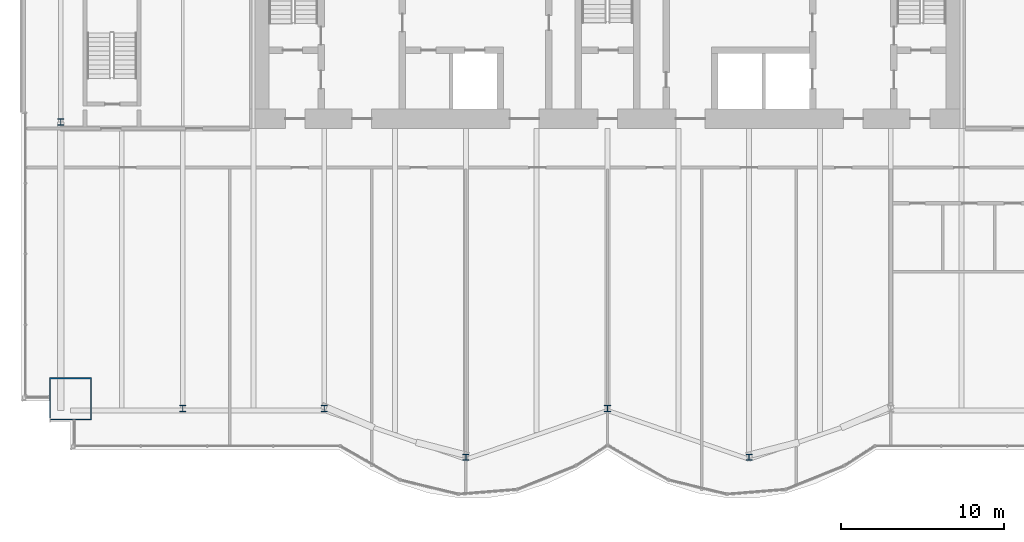
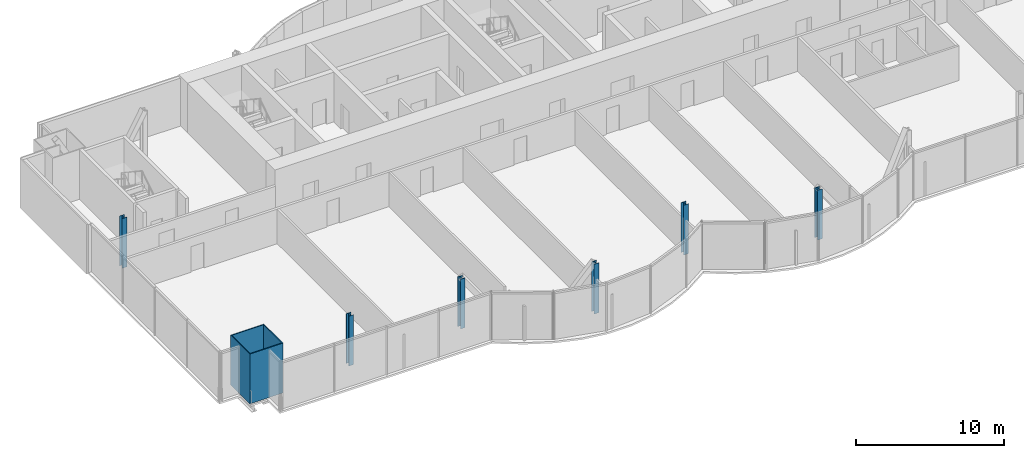
# One storey, part 1 of 20: 7 columns.
"""IFC4 building model written with IfcOpenShell, lengths in metres."""

from ifc_helpers import new_model, si_unit, direction, frame, origin, origin_2d, place, context, subcontext, project, spatial, hollow_rectangle, i_section, extrude, material, material_profile, profile_set, type_object, element, save


model = new_model("IFC4")

# Units and contexts
model_context = context("Model", 3, precision=1e-05, world=origin(), true_north=direction((0.0, 1.0)))
body_context = subcontext(model_context, "Body", "Model", "MODEL_VIEW")
ifc_project = project(units=[si_unit("LENGTHUNIT", "METRE"), si_unit("AREAUNIT", "SQUARE_METRE"), si_unit("VOLUMEUNIT", "CUBIC_METRE"), si_unit("PLANEANGLEUNIT", "RADIAN"), si_unit("MASSUNIT", "GRAM", prefix="KILO")], contexts=[model_context])

# Site, building, storey
site_placement = place(None, origin())
site = spatial("IfcSite", under=ifc_project, at=site_placement, CompositionType="ELEMENT")
building_placement = place(site_placement, origin())
building = spatial("IfcBuilding", under=site, at=building_placement, Name="Bicima Exchange Tower", CompositionType="ELEMENT")
storey_placement = place(building_placement, frame((0.0, 0.0, 199.10009765625)))
storey = spatial("IfcBuildingStorey", under=building, at=storey_placement, Name="L44", CompositionType="ELEMENT", Elevation=199.10009765625)

# Columns
ifc_material_1 = material(Name="Steel ASTM A572 Gr 50", Category="steel")
ifc_material_profile_1 = material_profile(ifc_material_1, hollow_rectangle(XDim=2.60009765625, YDim=2.60009765625, WallThickness=0.070068359375, at=origin_2d()))
ifc_profile_set_1 = profile_set([ifc_material_profile_1], Name="Steel ASTM A572 Gr 50")
column_type_1 = type_object("IfcColumnType", Name="Mega column BOX 2600x2600x70", PredefinedType="COLUMN", material=ifc_profile_set_1)
column_placement = place(storey_placement, frame((-33.0, -29.60595703125, 0.0), z_axis=(0.0, 0.0, 1.0), x_axis=(1.0, 0.0, 0.0)))
element("IfcColumn", 1, at=column_placement, inside=storey, type_object=column_type_1, Name="Mega column mega-33.0f", PredefinedType="COLUMN", context=body_context, shape_type="SweptSolid", body=[
    extrude(hollow_rectangle(XDim=2.60009765625, YDim=2.60009765625, WallThickness=0.070068359375, at=origin_2d()), origin(), (0.0, 0.0, 1.0), 4.099853515625),
])
ifc_material_2 = material(Name="Steel ASTM A992 Gr 50", Category="steel")
ifc_material_profile_2 = material_profile(ifc_material_2, i_section(OverallWidth=0.373291015625, OverallDepth=0.373291015625, WebThickness=0.016357421875, FlangeThickness=0.026123046875, at=origin_2d()))
ifc_profile_set_2 = profile_set([ifc_material_profile_2], Name="Steel ASTM A992 Gr 50")
column_type_2 = type_object("IfcColumnType", Name="Perimeter column W14x132", PredefinedType="COLUMN", material=ifc_profile_set_2)
for number, where, z_axis, x_axis, name in (
    (2, (-26.10009765625, -30.2060546875, 0.0), (0.0, 0.0, 1.0), (1.0, 0.0, 0.0), "Perimeter column grav-26.1f"),
    (3, (-17.39990234375, -30.2060546875, 0.0), (0.0, 0.0, 1.0), (1.0, 0.0, 0.0), "Perimeter column grav-17.4f"),
    (4, (-8.699951171875, -33.197021484375, 0.0), (0.0, 0.0, 1.0), (1.0, 0.0, 0.0), "Perimeter column grav-8.7f"),
    (5, (0.0, -30.2060546875, 0.0), (0.0, 0.0, 1.0), (1.0, 0.0, 0.0), "Perimeter column grav-0.0f"),
    (6, (8.699951171875, -33.197021484375, 0.0), (0.0, 0.0, 1.0), (1.0, 0.0, 0.0), "Perimeter column grav+8.7f"),
    (7, (-33.60009765625, -12.60009765625, 0.0), (0.0, 0.0, 1.0), (1.0, 0.0, 0.0), "End column end-33.6e"),
):
    element("IfcColumn", number, at=place(storey_placement, frame(where, z_axis=z_axis, x_axis=x_axis)), inside=storey, type_object=column_type_2, Name=name, PredefinedType="COLUMN", context=body_context, shape_type="SweptSolid", body=[
        extrude(i_section(OverallWidth=0.373291015625, OverallDepth=0.373291015625, WebThickness=0.016357421875, FlangeThickness=0.026123046875, at=origin_2d()), origin(), (0.0, 0.0, 1.0), 4.099853515625),
    ])

save(model, "model.ifc")
